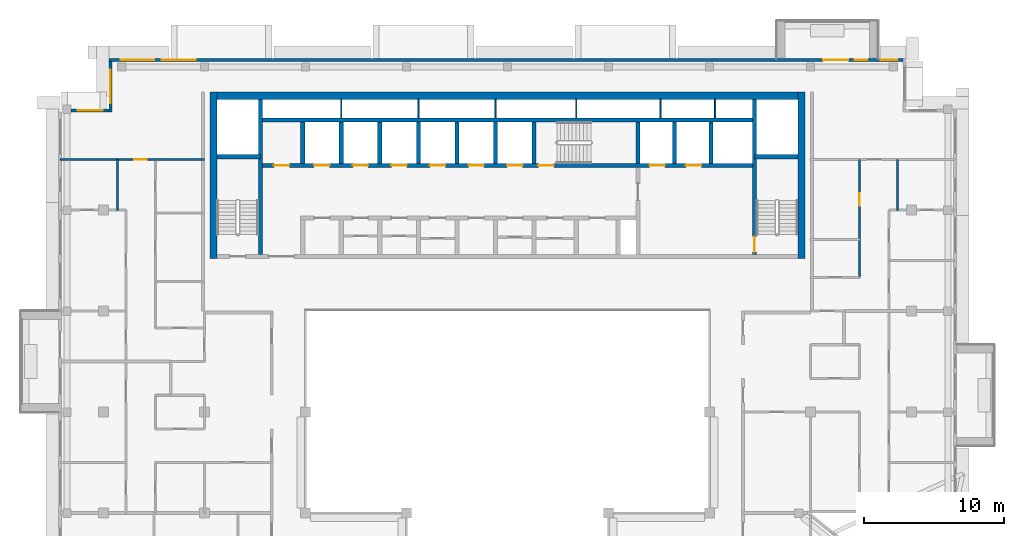
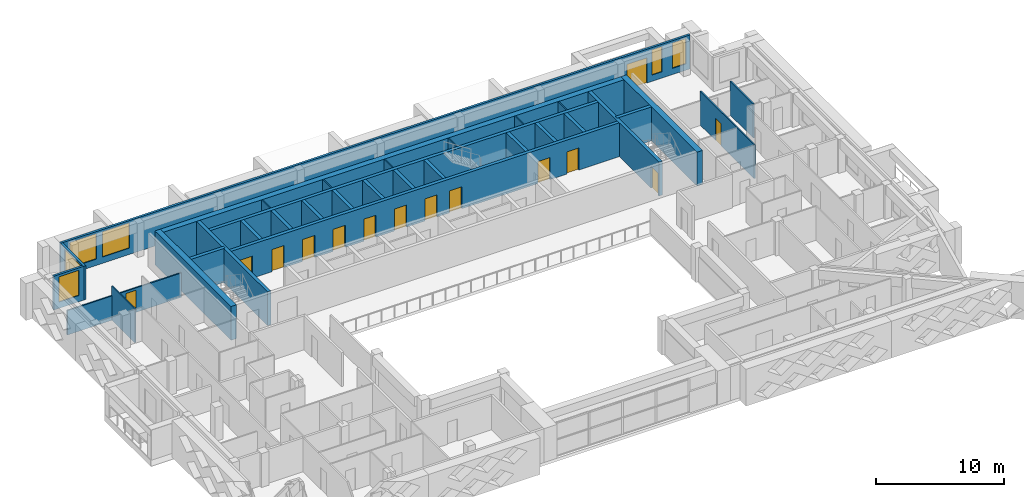
# One storey, part 10 of 18: 32 walls, 14 doors, 6 windows, 20 openings.
"""IFC4 building model written with IfcOpenShell, lengths in metres."""

from ifc_helpers import new_model, si_unit, direction, frame, frame_2d, origin, place, context, subcontext, project, spatial, rectangle, extrude, material, layer, layer_set, type_object, element, fill, save


model = new_model("IFC4")

# Units and contexts
model_context = context("Model", 3, precision=1e-05, world=origin(), true_north=direction((0.0, 1.0)))
body_context = subcontext(model_context, "Body", "Model", "MODEL_VIEW")
ifc_project = project(units=[si_unit("LENGTHUNIT", "METRE"), si_unit("AREAUNIT", "SQUARE_METRE"), si_unit("VOLUMEUNIT", "CUBIC_METRE"), si_unit("PLANEANGLEUNIT", "RADIAN"), si_unit("MASSUNIT", "GRAM", prefix="KILO")], contexts=[model_context])

# Site, building, storey
site_placement = place(None, origin())
site = spatial("IfcSite", under=ifc_project, at=site_placement, CompositionType="ELEMENT")
building_placement = place(site_placement, origin())
building = spatial("IfcBuilding", under=site, at=building_placement, Name="Saffron Iwan Residences", CompositionType="ELEMENT")
storey_placement = place(building_placement, frame((0.0, 0.0, 257.0)))
storey = spatial("IfcBuildingStorey", under=building, at=storey_placement, Name="L69", CompositionType="ELEMENT", Elevation=257.0)

# Wall, openings, door, windows
ifc_material_1 = material(Name="Concrete C40/50", Category="concrete")
ifc_layer_1 = layer(ifc_material_1, 0.199951171875)
ifc_layer_set_1 = layer_set([ifc_layer_1], Name="Concrete C40/50")
wall_type_1 = type_object("IfcWallType", Name="EXTERNAL WALL 200", PredefinedType="SOLIDWALL", material=ifc_layer_set_1)
wall_1_placement = place(storey_placement, frame((78.60009765625, 80.300048828125, 0.0), z_axis=(0.0, 0.0, 1.0), x_axis=(-1.0, 0.0, 0.0)))
wall_1 = element("IfcWall", 1, at=wall_1_placement, inside=storey, type_object=wall_type_1, Name="External wall L69 F5.0", PredefinedType="SOLIDWALL", context=body_context, shape_type="SweptSolid", body=[
    extrude(rectangle(XDim=56.60009765625, YDim=0.199951171875, at=frame_2d((28.300048828125, 0.0))), origin(), (0.0, 0.0, 1.0), 3.219970703125),
])
opening_1_placement = place(wall_1_placement, frame((3.89990234375, 0.0, 0.0)))
opening_1 = element("IfcOpeningElement", 2, at=opening_1_placement, cuts=wall_1, Name="Opening BD1", PredefinedType="OPENING", context=body_context, shape_type="SweptSolid", body=[
    extrude(rectangle(XDim=1.800048828125, YDim=2.39990234375, at=frame_2d((0.89990234375, 1.199951171875))), frame((0.0, 0.10986328125, 0.0), z_axis=(0.0, -1.0, 0.0), x_axis=(1.0, 0.0, 0.0)), (0.0, 0.0, 1.0), 0.219970703125),
])
opening_2_placement = place(wall_1_placement, frame((50.433349609375, 0.0, 0.60009765625)))
opening_2 = element("IfcOpeningElement", 3, at=opening_2_placement, cuts=wall_1, Name="Opening W1", PredefinedType="OPENING", context=body_context, shape_type="SweptSolid", body=[
    extrude(rectangle(XDim=2.39990234375, YDim=2.39990234375, at=frame_2d((1.199951171875, 1.199951171875))), frame((0.0, 0.10986328125, 0.0), z_axis=(0.0, -1.0, 0.0), x_axis=(1.0, 0.0, 0.0)), (0.0, 0.0, 1.0), 0.219970703125),
])
opening_3_placement = place(wall_1_placement, frame((53.36669921875, 0.0, 0.60009765625)))
opening_3 = element("IfcOpeningElement", 4, at=opening_3_placement, cuts=wall_1, Name="Opening W1", PredefinedType="OPENING", context=body_context, shape_type="SweptSolid", body=[
    extrude(rectangle(XDim=2.39990234375, YDim=2.39990234375, at=frame_2d((1.199951171875, 1.199951171875))), frame((0.0, 0.10986328125, 0.0), z_axis=(0.0, -1.0, 0.0), x_axis=(1.0, 0.0, 0.0)), (0.0, 0.0, 1.0), 0.219970703125),
])
opening_4_placement = place(wall_1_placement, frame((0.39990234375, 0.0, 0.60009765625)))
opening_4 = element("IfcOpeningElement", 5, at=opening_4_placement, cuts=wall_1, Name="Opening W3", PredefinedType="OPENING", context=body_context, shape_type="SweptSolid", body=[
    extrude(rectangle(XDim=1.199951171875, YDim=2.39990234375, at=frame_2d((0.60009765625, 1.199951171875))), frame((0.0, 0.10986328125, 0.0), z_axis=(0.0, -1.0, 0.0), x_axis=(1.0, 0.0, 0.0)), (0.0, 0.0, 1.0), 0.219970703125),
])
opening_5_placement = place(wall_1_placement, frame((2.550048828125, 0.0, 0.60009765625)))
opening_5 = element("IfcOpeningElement", 6, at=opening_5_placement, cuts=wall_1, Name="Opening W10", PredefinedType="OPENING", context=body_context, shape_type="SweptSolid", body=[
    extrude(rectangle(XDim=0.89990234375, YDim=2.39990234375, at=frame_2d((0.449951171875, 1.199951171875))), frame((0.0, 0.10986328125, 0.0), z_axis=(0.0, -1.0, 0.0), x_axis=(1.0, 0.0, 0.0)), (0.0, 0.0, 1.0), 0.219970703125),
])
ifc_material_2 = material(Name="Clear glass, laminated double glazed", Category="glass")
door_type_1 = type_object("IfcDoorType", Name="BALCONY DOOR 1800 x 2400", OperationType="DOUBLE_DOOR_SLIDING", PredefinedType="DOOR", material=ifc_material_2)
door_1_placement = place(opening_1_placement, origin())
door_1 = element("IfcDoor", 7, at=door_1_placement, inside=storey, type_object=door_type_1, Name="Balcony door L69 F5.0", OperationType="DOUBLE_DOOR_SLIDING", OverallHeight=2.39990234375, OverallWidth=1.800048828125, PredefinedType="DOOR", context=body_context, shape_type="SweptSolid", body=[
    extrude(rectangle(XDim=1.800048828125, YDim=2.39990234375, at=frame_2d((0.89990234375, 1.199951171875))), frame((0.0, 0.02490234375, 0.0), z_axis=(0.0, -1.0, 0.0), x_axis=(1.0, 0.0, 0.0)), (0.0, 0.0, 1.0), 0.050048828125),
])
fill(opening_1, door_1)
window_type_1 = type_object("IfcWindowType", Name="WINDOW 1200 x 2400", PartitioningType="SINGLE_PANEL", PredefinedType="WINDOW", material=ifc_material_2)
window_1_placement = place(opening_4_placement, origin())
window_1 = element("IfcWindow", 8, at=window_1_placement, inside=storey, type_object=window_type_1, Name="Window L69 F5.3", OverallHeight=2.39990234375, OverallWidth=1.199951171875, PartitioningType="SINGLE_PANEL", PredefinedType="WINDOW", context=body_context, shape_type="SweptSolid", body=[
    extrude(rectangle(XDim=1.199951171875, YDim=2.39990234375, at=frame_2d((0.60009765625, 1.199951171875))), frame((0.0, 0.030029296875, 0.0), z_axis=(0.0, -1.0, 0.0), x_axis=(1.0, 0.0, 0.0)), (0.0, 0.0, 1.0), 0.06005859375),
])
fill(opening_4, window_1)
window_type_2 = type_object("IfcWindowType", Name="WINDOW 2400 x 2400", PartitioningType="DOUBLE_PANEL_VERTICAL", PredefinedType="WINDOW", material=ifc_material_2)
window_2_placement = place(opening_2_placement, origin())
window_2 = element("IfcWindow", 9, at=window_2_placement, inside=storey, type_object=window_type_2, Name="Window L69 F5.1", OverallHeight=2.39990234375, OverallWidth=2.39990234375, PartitioningType="DOUBLE_PANEL_VERTICAL", PredefinedType="WINDOW", context=body_context, shape_type="SweptSolid", body=[
    extrude(rectangle(XDim=2.39990234375, YDim=2.39990234375, at=frame_2d((1.199951171875, 1.199951171875))), frame((0.0, 0.030029296875, 0.0), z_axis=(0.0, -1.0, 0.0), x_axis=(1.0, 0.0, 0.0)), (0.0, 0.0, 1.0), 0.06005859375),
])
fill(opening_2, window_2)
window_3_placement = place(opening_3_placement, origin())
window_3 = element("IfcWindow", 10, at=window_3_placement, inside=storey, type_object=window_type_2, Name="Window L69 F5.2", OverallHeight=2.39990234375, OverallWidth=2.39990234375, PartitioningType="DOUBLE_PANEL_VERTICAL", PredefinedType="WINDOW", context=body_context, shape_type="SweptSolid", body=[
    extrude(rectangle(XDim=2.39990234375, YDim=2.39990234375, at=frame_2d((1.199951171875, 1.199951171875))), frame((0.0, 0.030029296875, 0.0), z_axis=(0.0, -1.0, 0.0), x_axis=(1.0, 0.0, 0.0)), (0.0, 0.0, 1.0), 0.06005859375),
])
fill(opening_3, window_3)
window_type_3 = type_object("IfcWindowType", Name="WINDOW 900 x 2400", PartitioningType="SINGLE_PANEL", PredefinedType="WINDOW", material=ifc_material_2)
window_4_placement = place(opening_5_placement, origin())
window_4 = element("IfcWindow", 11, at=window_4_placement, inside=storey, type_object=window_type_3, Name="Window L69 F5.4", OverallHeight=2.39990234375, OverallWidth=0.89990234375, PartitioningType="SINGLE_PANEL", PredefinedType="WINDOW", context=body_context, shape_type="SweptSolid", body=[
    extrude(rectangle(XDim=0.89990234375, YDim=2.39990234375, at=frame_2d((0.449951171875, 1.199951171875))), frame((0.0, 0.030029296875, 0.0), z_axis=(0.0, -1.0, 0.0), x_axis=(1.0, 0.0, 0.0)), (0.0, 0.0, 1.0), 0.06005859375),
])
fill(opening_5, window_4)

# Wall, opening, window
wall_2_placement = place(storey_placement, frame((22.10009765625, 80.199951171875, 0.0), z_axis=(0.0, 0.0, 1.0), x_axis=(0.0, -1.0, 0.0)))
wall_2 = element("IfcWall", 12, at=wall_2_placement, inside=storey, type_object=wall_type_1, Name="External wall L69 F6.0", PredefinedType="SOLIDWALL", context=body_context, shape_type="SweptSolid", body=[
    extrude(rectangle(XDim=3.599853515625, YDim=0.199951171875, at=frame_2d((1.7998046875, 0.0))), origin(), (0.0, 0.0, 1.0), 3.219970703125),
])
opening_6_placement = place(wall_2_placement, frame((0.60009765625, 0.0, 0.60009765625)))
opening_6 = element("IfcOpeningElement", 13, at=opening_6_placement, cuts=wall_2, Name="Opening W1", PredefinedType="OPENING", context=body_context, shape_type="SweptSolid", body=[
    extrude(rectangle(XDim=2.39990234375, YDim=2.39990234375, at=frame_2d((1.199951171875, 1.199951171875))), frame((0.0, 0.10986328125, 0.0), z_axis=(0.0, -1.0, 0.0), x_axis=(1.0, 0.0, 0.0)), (0.0, 0.0, 1.0), 0.219970703125),
])
window_5_placement = place(opening_6_placement, origin())
window_5 = element("IfcWindow", 14, at=window_5_placement, inside=storey, type_object=window_type_2, Name="Window L69 F6.0", OverallHeight=2.39990234375, OverallWidth=2.39990234375, PartitioningType="DOUBLE_PANEL_VERTICAL", PredefinedType="WINDOW", context=body_context, shape_type="SweptSolid", body=[
    extrude(rectangle(XDim=2.39990234375, YDim=2.39990234375, at=frame_2d((1.199951171875, 1.199951171875))), frame((0.0, 0.030029296875, 0.0), z_axis=(0.0, -1.0, 0.0), x_axis=(1.0, 0.0, 0.0)), (0.0, 0.0, 1.0), 0.06005859375),
])
fill(opening_6, window_5)

wall_3_placement = place(storey_placement, frame((22.0, 76.699951171875, 0.0), z_axis=(0.0, 0.0, 1.0), x_axis=(-1.0, 0.0, 0.0)))
wall_3 = element("IfcWall", 15, at=wall_3_placement, inside=storey, type_object=wall_type_1, Name="External wall L69 F7.0", PredefinedType="SOLIDWALL", context=body_context, shape_type="SweptSolid", body=[
    extrude(rectangle(XDim=2.699951171875, YDim=0.199951171875, at=frame_2d((1.35009765625, 0.0))), origin(), (0.0, 0.0, 1.0), 3.219970703125),
])
opening_7_placement = place(wall_3_placement, frame((0.449951171875, 0.0, 0.60009765625)))
opening_7 = element("IfcOpeningElement", 16, at=opening_7_placement, cuts=wall_3, Name="Opening W8", PredefinedType="OPENING", context=body_context, shape_type="SweptSolid", body=[
    extrude(rectangle(XDim=1.800048828125, YDim=2.39990234375, at=frame_2d((0.89990234375, 1.199951171875))), frame((0.0, 0.10986328125, 0.0), z_axis=(0.0, -1.0, 0.0), x_axis=(1.0, 0.0, 0.0)), (0.0, 0.0, 1.0), 0.219970703125),
])
window_type_4 = type_object("IfcWindowType", Name="WINDOW 1800 x 2400", PartitioningType="DOUBLE_PANEL_VERTICAL", PredefinedType="WINDOW", material=ifc_material_2)
window_6_placement = place(opening_7_placement, origin())
window_6 = element("IfcWindow", 17, at=window_6_placement, inside=storey, type_object=window_type_4, Name="Window L69 F7.0", OverallHeight=2.39990234375, OverallWidth=1.800048828125, PartitioningType="DOUBLE_PANEL_VERTICAL", PredefinedType="WINDOW", context=body_context, shape_type="SweptSolid", body=[
    extrude(rectangle(XDim=1.800048828125, YDim=2.39990234375, at=frame_2d((0.89990234375, 1.199951171875))), frame((0.0, 0.030029296875, 0.0), z_axis=(0.0, -1.0, 0.0), x_axis=(1.0, 0.0, 0.0)), (0.0, 0.0, 1.0), 0.06005859375),
])
fill(opening_7, window_6)

# Wall, opening, door
ifc_material_3 = material(Name="Gypsum board partition")
ifc_layer_2 = layer(ifc_material_3, 0.1201171875)
ifc_layer_set_2 = layer_set([ifc_layer_2], Name="Gypsum board partition")
wall_type_2 = type_object("IfcWallType", Name="Flat partition 120", PredefinedType="PARTITIONING", material=ifc_layer_set_2)
wall_4_placement = place(storey_placement, frame((18.52490234375, 73.199951171875, 0.0), z_axis=(0.0, 0.0, 1.0), x_axis=(1.0, 0.0, 0.0)))
wall_4 = element("IfcWall", 18, at=wall_4_placement, inside=storey, type_object=wall_type_2, Name="W-L69-PART-h73.2-18.525", PredefinedType="PARTITIONING", context=body_context, shape_type="SweptSolid", body=[
    extrude(rectangle(XDim=10.275146484375, YDim=0.1201171875, at=frame_2d((5.1376953125, 0.0))), origin(), (0.0, 0.0, 1.0), 2.320068359375),
])
opening_8_placement = place(wall_4_placement, frame((5.27490234375, 0.0, 0.0)))
opening_8 = element("IfcOpeningElement", 19, at=opening_8_placement, cuts=wall_4, Name="Opening FD2", PredefinedType="OPENING", context=body_context, shape_type="SweptSolid", body=[
    extrude(rectangle(XDim=0.89990234375, YDim=2.10009765625, at=frame_2d((0.449951171875, 1.050048828125))), frame((0.0, 0.070068359375, 0.0), z_axis=(0.0, -1.0, 0.0), x_axis=(1.0, 0.0, 0.0)), (0.0, 0.0, 1.0), 0.14013671875),
])
ifc_material_4 = material(Name="Timber door", Category="wood")
door_type_2 = type_object("IfcDoorType", Name="Flat door 900", OperationType="NOTDEFINED", PredefinedType="DOOR", material=ifc_material_4)
door_2_placement = place(opening_8_placement, origin())
door_2 = element("IfcDoor", 20, at=door_2_placement, inside=storey, type_object=door_type_2, Name="Door L69-025", OperationType="SINGLE_SWING_RIGHT", OverallHeight=2.10009765625, OverallWidth=0.89990234375, PredefinedType="DOOR", context=body_context, shape_type="SweptSolid", body=[
    extrude(rectangle(XDim=0.89990234375, YDim=2.10009765625, at=frame_2d((0.449951171875, 1.050048828125))), frame((0.0, 0.02490234375, 0.0), z_axis=(0.0, -1.0, 0.0), x_axis=(1.0, 0.0, 0.0)), (0.0, 0.0, 1.0), 0.050048828125),
])
fill(opening_8, door_2)

# Wall
wall_5_placement = place(storey_placement, frame((22.60009765625, 69.60009765625, 0.0), z_axis=(0.0, 0.0, 1.0), x_axis=(0.0, 1.0, 0.0)))
element("IfcWall", 21, at=wall_5_placement, inside=storey, type_object=wall_type_2, Name="W-L69-PART-v22.6-69.6", PredefinedType="PARTITIONING", context=body_context, shape_type="SweptSolid", body=[
    extrude(rectangle(XDim=3.599853515625, YDim=0.1201171875, at=frame_2d((1.7998046875, 0.0))), origin(), (0.0, 0.0, 1.0), 3.219970703125),
])

# Wall, opening, door
wall_6_placement = place(storey_placement, frame((75.5, 64.800048828125, 0.0), z_axis=(0.0, 0.0, 1.0), x_axis=(0.0, 1.0, 0.0)))
wall_6 = element("IfcWall", 22, at=wall_6_placement, inside=storey, type_object=wall_type_2, Name="W-L69-PART-v75.5-64.8", PredefinedType="PARTITIONING", context=body_context, shape_type="SweptSolid", body=[
    extrude(rectangle(XDim=8.39990234375, YDim=0.1201171875, at=frame_2d((4.199951171875, 0.0))), origin(), (0.0, 0.0, 1.0), 3.219970703125),
])
opening_9_placement = place(wall_6_placement, frame((5.10009765625, 0.0, 0.0)))
opening_9 = element("IfcOpeningElement", 23, at=opening_9_placement, cuts=wall_6, Name="Opening FD2", PredefinedType="OPENING", context=body_context, shape_type="SweptSolid", body=[
    extrude(rectangle(XDim=0.89990234375, YDim=2.10009765625, at=frame_2d((0.449951171875, 1.050048828125))), frame((0.0, 0.070068359375, 0.0), z_axis=(0.0, -1.0, 0.0), x_axis=(1.0, 0.0, 0.0)), (0.0, 0.0, 1.0), 0.14013671875),
])
door_3_placement = place(opening_9_placement, origin())
door_3 = element("IfcDoor", 24, at=door_3_placement, inside=storey, type_object=door_type_2, Name="Door L69-036", OperationType="SINGLE_SWING_LEFT", OverallHeight=2.10009765625, OverallWidth=0.89990234375, PredefinedType="DOOR", context=body_context, shape_type="SweptSolid", body=[
    extrude(rectangle(XDim=0.89990234375, YDim=2.10009765625, at=frame_2d((0.449951171875, 1.050048828125))), frame((0.0, 0.02490234375, 0.0), z_axis=(0.0, -1.0, 0.0), x_axis=(1.0, 0.0, 0.0)), (0.0, 0.0, 1.0), 0.050048828125),
])
fill(opening_9, door_3)

# Walls
wall_7_placement = place(storey_placement, frame((78.199951171875, 69.60009765625, 0.0), z_axis=(0.0, 0.0, 1.0), x_axis=(0.0, 1.0, 0.0)))
element("IfcWall", 25, at=wall_7_placement, inside=storey, type_object=wall_type_2, Name="W-L69-PART-v78.2-69.6", PredefinedType="PARTITIONING", context=body_context, shape_type="SweptSolid", body=[
    extrude(rectangle(XDim=3.599853515625, YDim=0.1201171875, at=frame_2d((1.7998046875, 0.0))), origin(), (0.0, 0.0, 1.0), 3.219970703125),
])
ifc_material_5 = material(Name="Fire-rated plasterboard partition")
ifc_layer_3 = layer(ifc_material_5, 0.10009765625)
ifc_layer_set_3 = layer_set([ifc_layer_3], Name="Fire-rated plasterboard partition")
wall_type_3 = type_object("IfcWallType", Name="Riser partition 100", PredefinedType="PARTITIONING", material=ifc_layer_set_3)
for number, where, z_axis, x_axis, name in (
    (26, (38.550048828125, 76.175048828125, 0.0), (0.0, 0.0, 1.0), (0.0, 1.0, 0.0), "Core partition P06"),
    (27, (44.050048828125, 76.175048828125, 0.0), (0.0, 0.0, 1.0), (0.0, 1.0, 0.0), "Core partition P07"),
    (28, (49.550048828125, 76.175048828125, 0.0), (0.0, 0.0, 1.0), (0.0, 1.0, 0.0), "Core partition P08"),
    (29, (55.300048828125, 76.175048828125, 0.0), (0.0, 0.0, 1.0), (0.0, 1.0, 0.0), "Core partition P09"),
    (30, (61.300048828125, 76.175048828125, 0.0), (0.0, 0.0, 1.0), (0.0, 1.0, 0.0), "Core partition P10"),
    (31, (65.199951171875, 76.175048828125, 0.0), (0.0, 0.0, 1.0), (0.0, 1.0, 0.0), "Core partition P11"),
):
    element("IfcWall", number, at=place(storey_placement, frame(where, z_axis=z_axis, x_axis=x_axis)), inside=storey, type_object=wall_type_3, Name=name, PredefinedType="PARTITIONING", context=body_context, shape_type="SweptSolid", body=[
        extrude(rectangle(XDim=1.324951171875, YDim=0.10009765625, at=frame_2d((0.66259765625, 0.0))), origin(), (0.0, 0.0, 1.0), 3.219970703125),
    ])

# Wall, openings, doors
ifc_layer_4 = layer(ifc_material_1, 0.300048828125)
ifc_layer_set_4 = layer_set([ifc_layer_4], Name="Concrete C40/50")
wall_type_4 = type_object("IfcWallType", Name="WALL CORE 300 C40/50 3220 HIGH", PredefinedType="SHEAR", material=ifc_layer_set_4)
wall_8_placement = place(storey_placement, frame((32.800048828125, 72.77490234375, 0.0), z_axis=(0.0, 0.0, 1.0), x_axis=(1.0, 0.0, 0.0)))
wall_8 = element("IfcWall", 32, at=wall_8_placement, inside=storey, type_object=wall_type_4, Name="Core wall", PredefinedType="SHEAR", context=body_context, shape_type="SweptSolid", body=[
    extrude(rectangle(XDim=35.199951171875, YDim=0.300048828125, at=frame_2d((17.60009765625, 0.0))), origin(), (0.0, 0.0, 1.0), 3.219970703125),
])
opening_10_placement = place(wall_8_placement, frame((19.800048828125, 0.0, 0.0)))
opening_10 = element("IfcOpeningElement", 33, at=opening_10_placement, cuts=wall_8, Name="Opening SD", PredefinedType="OPENING", context=body_context, shape_type="SweptSolid", body=[
    extrude(rectangle(XDim=1.10009765625, YDim=2.10009765625, at=frame_2d((0.550048828125, 1.050048828125))), frame((0.0, 0.16015625, 0.0), z_axis=(0.0, -1.0, 0.0), x_axis=(1.0, 0.0, 0.0)), (0.0, 0.0, 1.0), 0.320068359375),
])
opening_11_placement = place(wall_8_placement, frame((27.72509765625, 0.0, 0.0)))
opening_11 = element("IfcOpeningElement", 34, at=opening_11_placement, cuts=wall_8, Name="Opening LD", PredefinedType="OPENING", context=body_context, shape_type="SweptSolid", body=[
    extrude(rectangle(XDim=1.10009765625, YDim=2.10009765625, at=frame_2d((0.550048828125, 1.050048828125))), frame((0.0, 0.16015625, 0.0), z_axis=(0.0, -1.0, 0.0), x_axis=(1.0, 0.0, 0.0)), (0.0, 0.0, 1.0), 0.320068359375),
])
opening_12_placement = place(wall_8_placement, frame((30.324951171875, 0.0, 0.0)))
opening_12 = element("IfcOpeningElement", 35, at=opening_12_placement, cuts=wall_8, Name="Opening LD", PredefinedType="OPENING", context=body_context, shape_type="SweptSolid", body=[
    extrude(rectangle(XDim=1.10009765625, YDim=2.10009765625, at=frame_2d((0.550048828125, 1.050048828125))), frame((0.0, 0.16015625, 0.0), z_axis=(0.0, -1.0, 0.0), x_axis=(1.0, 0.0, 0.0)), (0.0, 0.0, 1.0), 0.320068359375),
])
opening_13_placement = place(wall_8_placement, frame((3.824951171875, 0.0, 0.0)))
opening_13 = element("IfcOpeningElement", 36, at=opening_13_placement, cuts=wall_8, Name="Opening LD", PredefinedType="OPENING", context=body_context, shape_type="SweptSolid", body=[
    extrude(rectangle(XDim=1.10009765625, YDim=2.10009765625, at=frame_2d((0.550048828125, 1.050048828125))), frame((0.0, 0.16015625, 0.0), z_axis=(0.0, -1.0, 0.0), x_axis=(1.0, 0.0, 0.0)), (0.0, 0.0, 1.0), 0.320068359375),
])
opening_14_placement = place(wall_8_placement, frame((6.574951171875, 0.0, 0.0)))
opening_14 = element("IfcOpeningElement", 37, at=opening_14_placement, cuts=wall_8, Name="Opening LD", PredefinedType="OPENING", context=body_context, shape_type="SweptSolid", body=[
    extrude(rectangle(XDim=1.10009765625, YDim=2.10009765625, at=frame_2d((0.550048828125, 1.050048828125))), frame((0.0, 0.16015625, 0.0), z_axis=(0.0, -1.0, 0.0), x_axis=(1.0, 0.0, 0.0)), (0.0, 0.0, 1.0), 0.320068359375),
])
opening_15_placement = place(wall_8_placement, frame((9.324951171875, 0.0, 0.0)))
opening_15 = element("IfcOpeningElement", 38, at=opening_15_placement, cuts=wall_8, Name="Opening LD", PredefinedType="OPENING", context=body_context, shape_type="SweptSolid", body=[
    extrude(rectangle(XDim=1.10009765625, YDim=2.10009765625, at=frame_2d((0.550048828125, 1.050048828125))), frame((0.0, 0.16015625, 0.0), z_axis=(0.0, -1.0, 0.0), x_axis=(1.0, 0.0, 0.0)), (0.0, 0.0, 1.0), 0.320068359375),
])
opening_16_placement = place(wall_8_placement, frame((12.074951171875, 0.0, 0.0)))
opening_16 = element("IfcOpeningElement", 39, at=opening_16_placement, cuts=wall_8, Name="Opening LD", PredefinedType="OPENING", context=body_context, shape_type="SweptSolid", body=[
    extrude(rectangle(XDim=1.10009765625, YDim=2.10009765625, at=frame_2d((0.550048828125, 1.050048828125))), frame((0.0, 0.16015625, 0.0), z_axis=(0.0, -1.0, 0.0), x_axis=(1.0, 0.0, 0.0)), (0.0, 0.0, 1.0), 0.320068359375),
])
opening_17_placement = place(wall_8_placement, frame((14.824951171875, 0.0, 0.0)))
opening_17 = element("IfcOpeningElement", 40, at=opening_17_placement, cuts=wall_8, Name="Opening LD", PredefinedType="OPENING", context=body_context, shape_type="SweptSolid", body=[
    extrude(rectangle(XDim=1.10009765625, YDim=2.10009765625, at=frame_2d((0.550048828125, 1.050048828125))), frame((0.0, 0.16015625, 0.0), z_axis=(0.0, -1.0, 0.0), x_axis=(1.0, 0.0, 0.0)), (0.0, 0.0, 1.0), 0.320068359375),
])
opening_18_placement = place(wall_8_placement, frame((17.574951171875, 0.0, 0.0)))
opening_18 = element("IfcOpeningElement", 41, at=opening_18_placement, cuts=wall_8, Name="Opening LD", PredefinedType="OPENING", context=body_context, shape_type="SweptSolid", body=[
    extrude(rectangle(XDim=1.10009765625, YDim=2.10009765625, at=frame_2d((0.550048828125, 1.050048828125))), frame((0.0, 0.16015625, 0.0), z_axis=(0.0, -1.0, 0.0), x_axis=(1.0, 0.0, 0.0)), (0.0, 0.0, 1.0), 0.320068359375),
])
opening_19_placement = place(wall_8_placement, frame((0.949951171875, 0.0, 0.0)))
opening_19 = element("IfcOpeningElement", 42, at=opening_19_placement, cuts=wall_8, Name="Opening SR", PredefinedType="OPENING", context=body_context, shape_type="SweptSolid", body=[
    extrude(rectangle(XDim=1.10009765625, YDim=2.10009765625, at=frame_2d((0.550048828125, 1.050048828125))), frame((0.0, 0.16015625, 0.0), z_axis=(0.0, -1.0, 0.0), x_axis=(1.0, 0.0, 0.0)), (0.0, 0.0, 1.0), 0.320068359375),
])
ifc_material_6 = material(Name="Steel fire door", Category="steel")
door_type_3 = type_object("IfcDoorType", Name="Lift landing door 1100", OperationType="SLIDING_TO_LEFT", PredefinedType="DOOR", material=ifc_material_6)
door_4_placement = place(opening_11_placement, origin())
door_4 = element("IfcDoor", 43, at=door_4_placement, inside=storey, type_object=door_type_3, Name="Landing doors FF1", OperationType="SLIDING_TO_LEFT", OverallHeight=2.10009765625, OverallWidth=1.10009765625, PredefinedType="DOOR", context=body_context, shape_type="SweptSolid", body=[
    extrude(rectangle(XDim=1.10009765625, YDim=2.10009765625, at=frame_2d((0.550048828125, 1.050048828125))), frame((0.0, 0.02490234375, 0.0), z_axis=(0.0, -1.0, 0.0), x_axis=(1.0, 0.0, 0.0)), (0.0, 0.0, 1.0), 0.050048828125),
])
fill(opening_11, door_4)
door_5_placement = place(opening_12_placement, origin())
door_5 = element("IfcDoor", 44, at=door_5_placement, inside=storey, type_object=door_type_3, Name="Landing doors FF2", OperationType="SLIDING_TO_LEFT", OverallHeight=2.10009765625, OverallWidth=1.10009765625, PredefinedType="DOOR", context=body_context, shape_type="SweptSolid", body=[
    extrude(rectangle(XDim=1.10009765625, YDim=2.10009765625, at=frame_2d((0.550048828125, 1.050048828125))), frame((0.0, 0.02490234375, 0.0), z_axis=(0.0, -1.0, 0.0), x_axis=(1.0, 0.0, 0.0)), (0.0, 0.0, 1.0), 0.050048828125),
])
fill(opening_12, door_5)
door_6_placement = place(opening_13_placement, origin())
door_6 = element("IfcDoor", 45, at=door_6_placement, inside=storey, type_object=door_type_3, Name="Landing doors HR1", OperationType="SLIDING_TO_LEFT", OverallHeight=2.10009765625, OverallWidth=1.10009765625, PredefinedType="DOOR", context=body_context, shape_type="SweptSolid", body=[
    extrude(rectangle(XDim=1.10009765625, YDim=2.10009765625, at=frame_2d((0.550048828125, 1.050048828125))), frame((0.0, 0.02490234375, 0.0), z_axis=(0.0, -1.0, 0.0), x_axis=(1.0, 0.0, 0.0)), (0.0, 0.0, 1.0), 0.050048828125),
])
fill(opening_13, door_6)
door_7_placement = place(opening_14_placement, origin())
door_7 = element("IfcDoor", 46, at=door_7_placement, inside=storey, type_object=door_type_3, Name="Landing doors HR2", OperationType="SLIDING_TO_LEFT", OverallHeight=2.10009765625, OverallWidth=1.10009765625, PredefinedType="DOOR", context=body_context, shape_type="SweptSolid", body=[
    extrude(rectangle(XDim=1.10009765625, YDim=2.10009765625, at=frame_2d((0.550048828125, 1.050048828125))), frame((0.0, 0.02490234375, 0.0), z_axis=(0.0, -1.0, 0.0), x_axis=(1.0, 0.0, 0.0)), (0.0, 0.0, 1.0), 0.050048828125),
])
fill(opening_14, door_7)
door_8_placement = place(opening_15_placement, origin())
door_8 = element("IfcDoor", 47, at=door_8_placement, inside=storey, type_object=door_type_3, Name="Landing doors HR3", OperationType="SLIDING_TO_LEFT", OverallHeight=2.10009765625, OverallWidth=1.10009765625, PredefinedType="DOOR", context=body_context, shape_type="SweptSolid", body=[
    extrude(rectangle(XDim=1.10009765625, YDim=2.10009765625, at=frame_2d((0.550048828125, 1.050048828125))), frame((0.0, 0.02490234375, 0.0), z_axis=(0.0, -1.0, 0.0), x_axis=(1.0, 0.0, 0.0)), (0.0, 0.0, 1.0), 0.050048828125),
])
fill(opening_15, door_8)
door_9_placement = place(opening_16_placement, origin())
door_9 = element("IfcDoor", 48, at=door_9_placement, inside=storey, type_object=door_type_3, Name="Landing doors HR4", OperationType="SLIDING_TO_LEFT", OverallHeight=2.10009765625, OverallWidth=1.10009765625, PredefinedType="DOOR", context=body_context, shape_type="SweptSolid", body=[
    extrude(rectangle(XDim=1.10009765625, YDim=2.10009765625, at=frame_2d((0.550048828125, 1.050048828125))), frame((0.0, 0.02490234375, 0.0), z_axis=(0.0, -1.0, 0.0), x_axis=(1.0, 0.0, 0.0)), (0.0, 0.0, 1.0), 0.050048828125),
])
fill(opening_16, door_9)
door_10_placement = place(opening_17_placement, origin())
door_10 = element("IfcDoor", 49, at=door_10_placement, inside=storey, type_object=door_type_3, Name="Landing doors HR5", OperationType="SLIDING_TO_LEFT", OverallHeight=2.10009765625, OverallWidth=1.10009765625, PredefinedType="DOOR", context=body_context, shape_type="SweptSolid", body=[
    extrude(rectangle(XDim=1.10009765625, YDim=2.10009765625, at=frame_2d((0.550048828125, 1.050048828125))), frame((0.0, 0.02490234375, 0.0), z_axis=(0.0, -1.0, 0.0), x_axis=(1.0, 0.0, 0.0)), (0.0, 0.0, 1.0), 0.050048828125),
])
fill(opening_17, door_10)
door_11_placement = place(opening_18_placement, origin())
door_11 = element("IfcDoor", 50, at=door_11_placement, inside=storey, type_object=door_type_3, Name="Landing doors HR6", OperationType="SLIDING_TO_LEFT", OverallHeight=2.10009765625, OverallWidth=1.10009765625, PredefinedType="DOOR", context=body_context, shape_type="SweptSolid", body=[
    extrude(rectangle(XDim=1.10009765625, YDim=2.10009765625, at=frame_2d((0.550048828125, 1.050048828125))), frame((0.0, 0.02490234375, 0.0), z_axis=(0.0, -1.0, 0.0), x_axis=(1.0, 0.0, 0.0)), (0.0, 0.0, 1.0), 0.050048828125),
])
fill(opening_18, door_11)
door_type_4 = type_object("IfcDoorType", Name="Service door 1100", OperationType="NOTDEFINED", PredefinedType="DOOR", material=ifc_material_6)
door_12_placement = place(opening_19_placement, origin())
door_12 = element("IfcDoor", 51, at=door_12_placement, inside=storey, type_object=door_type_4, Name="Door Storage room", OperationType="SINGLE_SWING_LEFT", OverallHeight=2.10009765625, OverallWidth=1.10009765625, PredefinedType="DOOR", context=body_context, shape_type="SweptSolid", body=[
    extrude(rectangle(XDim=1.10009765625, YDim=2.10009765625, at=frame_2d((0.550048828125, 1.050048828125))), frame((0.0, 0.02490234375, 0.0), z_axis=(0.0, -1.0, 0.0), x_axis=(1.0, 0.0, 0.0)), (0.0, 0.0, 1.0), 0.050048828125),
])
fill(opening_19, door_12)
door_type_5 = type_object("IfcDoorType", Name="Stair door 1100", OperationType="NOTDEFINED", PredefinedType="DOOR", material=ifc_material_6)
door_13_placement = place(opening_10_placement, origin())
door_13 = element("IfcDoor", 52, at=door_13_placement, inside=storey, type_object=door_type_5, Name="Stair door ST-C", OperationType="SINGLE_SWING_LEFT", OverallHeight=2.10009765625, OverallWidth=1.10009765625, PredefinedType="DOOR", context=body_context, shape_type="SweptSolid", body=[
    extrude(rectangle(XDim=1.10009765625, YDim=2.10009765625, at=frame_2d((0.550048828125, 1.050048828125))), frame((0.0, 0.02490234375, 0.0), z_axis=(0.0, -1.0, 0.0), x_axis=(1.0, 0.0, 0.0)), (0.0, 0.0, 1.0), 0.050048828125),
])
fill(opening_10, door_13)

# Walls
wall_9_placement = place(storey_placement, frame((32.800048828125, 76.02490234375, 0.0), z_axis=(0.0, 0.0, 1.0), x_axis=(1.0, 0.0, 0.0)))
element("IfcWall", 53, at=wall_9_placement, inside=storey, type_object=wall_type_4, Name="Core wall", PredefinedType="SHEAR", context=body_context, shape_type="SweptSolid", body=[
    extrude(rectangle(XDim=35.199951171875, YDim=0.300048828125, at=frame_2d((17.60009765625, 0.0))), origin(), (0.0, 0.0, 1.0), 3.219970703125),
])
for number, where, z_axis, x_axis, name in (
    (54, (29.699951171875, 73.39990234375, 0.0), (0.0, 0.0, 1.0), (1.0, 0.0, 0.0), "Core wall"),
    (55, (68.0, 73.39990234375, 0.0), (0.0, 0.0, 1.0), (1.0, 0.0, 0.0), "Core wall"),
):
    element("IfcWall", number, at=place(storey_placement, frame(where, z_axis=z_axis, x_axis=x_axis)), inside=storey, type_object=wall_type_4, Name=name, PredefinedType="SHEAR", context=body_context, shape_type="SweptSolid", body=[
        extrude(rectangle(XDim=3.10009765625, YDim=0.300048828125, at=frame_2d((1.550048828125, 0.0))), origin(), (0.0, 0.0, 1.0), 3.219970703125),
    ])
wall_10_placement = place(storey_placement, frame((32.800048828125, 66.449951171875, 0.0), z_axis=(0.0, 0.0, 1.0), x_axis=(0.0, 1.0, 0.0)))
element("IfcWall", 56, at=wall_10_placement, inside=storey, type_object=wall_type_4, Name="Core wall", PredefinedType="SHEAR", context=body_context, shape_type="SweptSolid", body=[
    extrude(rectangle(XDim=11.050048828125, YDim=0.300048828125, at=frame_2d((5.52490234375, 0.0))), origin(), (0.0, 0.0, 1.0), 3.219970703125),
])

# Wall, opening, door
wall_11_placement = place(storey_placement, frame((68.0, 66.449951171875, 0.0), z_axis=(0.0, 0.0, 1.0), x_axis=(0.0, 1.0, 0.0)))
wall_11 = element("IfcWall", 57, at=wall_11_placement, inside=storey, type_object=wall_type_4, Name="Core wall", PredefinedType="SHEAR", context=body_context, shape_type="SweptSolid", body=[
    extrude(rectangle(XDim=11.050048828125, YDim=0.300048828125, at=frame_2d((5.52490234375, 0.0))), origin(), (0.0, 0.0, 1.0), 3.219970703125),
])
opening_20_placement = place(wall_11_placement, frame((0.14990234375, 0.0, 0.0)))
opening_20 = element("IfcOpeningElement", 58, at=opening_20_placement, cuts=wall_11, Name="Opening SD", PredefinedType="OPENING", context=body_context, shape_type="SweptSolid", body=[
    extrude(rectangle(XDim=1.10009765625, YDim=2.10009765625, at=frame_2d((0.550048828125, 1.050048828125))), frame((0.0, 0.16015625, 0.0), z_axis=(0.0, -1.0, 0.0), x_axis=(1.0, 0.0, 0.0)), (0.0, 0.0, 1.0), 0.320068359375),
])
door_14_placement = place(opening_20_placement, origin())
door_14 = element("IfcDoor", 59, at=door_14_placement, inside=storey, type_object=door_type_5, Name="Stair door ST-E", OperationType="SINGLE_SWING_RIGHT", OverallHeight=2.10009765625, OverallWidth=1.10009765625, PredefinedType="DOOR", context=body_context, shape_type="SweptSolid", body=[
    extrude(rectangle(XDim=1.10009765625, YDim=2.10009765625, at=frame_2d((0.550048828125, 1.050048828125))), frame((0.0, 0.02490234375, 0.0), z_axis=(0.0, -1.0, 0.0), x_axis=(1.0, 0.0, 0.0)), (0.0, 0.0, 1.0), 0.050048828125),
])
fill(opening_20, door_14)

# Walls
for number, where, z_axis, x_axis, name in (
    (60, (59.699951171875, 72.925048828125, 0.0), (0.0, 0.0, 1.0), (0.0, 1.0, 0.0), "Core wall"),
    (61, (35.800048828125, 72.925048828125, 0.0), (0.0, 0.0, 1.0), (0.0, 1.0, 0.0), "Core wall"),
    (62, (38.550048828125, 72.925048828125, 0.0), (0.0, 0.0, 1.0), (0.0, 1.0, 0.0), "Core wall"),
    (63, (41.300048828125, 72.925048828125, 0.0), (0.0, 0.0, 1.0), (0.0, 1.0, 0.0), "Core wall"),
    (64, (44.050048828125, 72.925048828125, 0.0), (0.0, 0.0, 1.0), (0.0, 1.0, 0.0), "Core wall"),
    (65, (46.800048828125, 72.925048828125, 0.0), (0.0, 0.0, 1.0), (0.0, 1.0, 0.0), "Core wall"),
    (66, (49.550048828125, 72.925048828125, 0.0), (0.0, 0.0, 1.0), (0.0, 1.0, 0.0), "Core wall"),
    (67, (52.300048828125, 72.925048828125, 0.0), (0.0, 0.0, 1.0), (0.0, 1.0, 0.0), "Core wall"),
    (68, (62.300048828125, 72.925048828125, 0.0), (0.0, 0.0, 1.0), (0.0, 1.0, 0.0), "Core wall"),
    (69, (64.89990234375, 72.925048828125, 0.0), (0.0, 0.0, 1.0), (0.0, 1.0, 0.0), "Core wall"),
):
    element("IfcWall", number, at=place(storey_placement, frame(where, z_axis=z_axis, x_axis=x_axis)), inside=storey, type_object=wall_type_4, Name=name, PredefinedType="SHEAR", context=body_context, shape_type="SweptSolid", body=[
        extrude(rectangle(XDim=2.949951171875, YDim=0.300048828125, at=frame_2d((1.47509765625, 0.0))), origin(), (0.0, 0.0, 1.0), 3.219970703125),
    ])
ifc_layer_5 = layer(ifc_material_1, 0.5)
ifc_layer_set_5 = layer_set([ifc_layer_5], Name="Concrete C40/50")
wall_type_5 = type_object("IfcWallType", Name="WALL CORE 500 C40/50 3220 HIGH", PredefinedType="SHEAR", material=ifc_layer_set_5)
for number, where, z_axis, x_axis, name in (
    (70, (29.449951171875, 66.14990234375, 0.0), (0.0, 0.0, 1.0), (0.0, 1.0, 0.0), "Core wall"),
    (71, (71.35009765625, 66.14990234375, 0.0), (0.0, 0.0, 1.0), (0.0, 1.0, 0.0), "Core wall"),
):
    element("IfcWall", number, at=place(storey_placement, frame(where, z_axis=z_axis, x_axis=x_axis)), inside=storey, type_object=wall_type_5, Name=name, PredefinedType="SHEAR", context=body_context, shape_type="SweptSolid", body=[
        extrude(rectangle(XDim=11.85009765625, YDim=0.5, at=frame_2d((5.925048828125, 0.0))), origin(), (0.0, 0.0, 1.0), 3.219970703125),
    ])
wall_12_placement = place(storey_placement, frame((29.699951171875, 77.75, 0.0), z_axis=(0.0, 0.0, 1.0), x_axis=(1.0, 0.0, 0.0)))
element("IfcWall", 72, at=wall_12_placement, inside=storey, type_object=wall_type_5, Name="Core wall", PredefinedType="SHEAR", context=body_context, shape_type="SweptSolid", body=[
    extrude(rectangle(XDim=41.400146484375, YDim=0.5, at=frame_2d((20.7001953125, 0.0))), origin(), (0.0, 0.0, 1.0), 3.219970703125),
])

save(model, "model.ifc")
